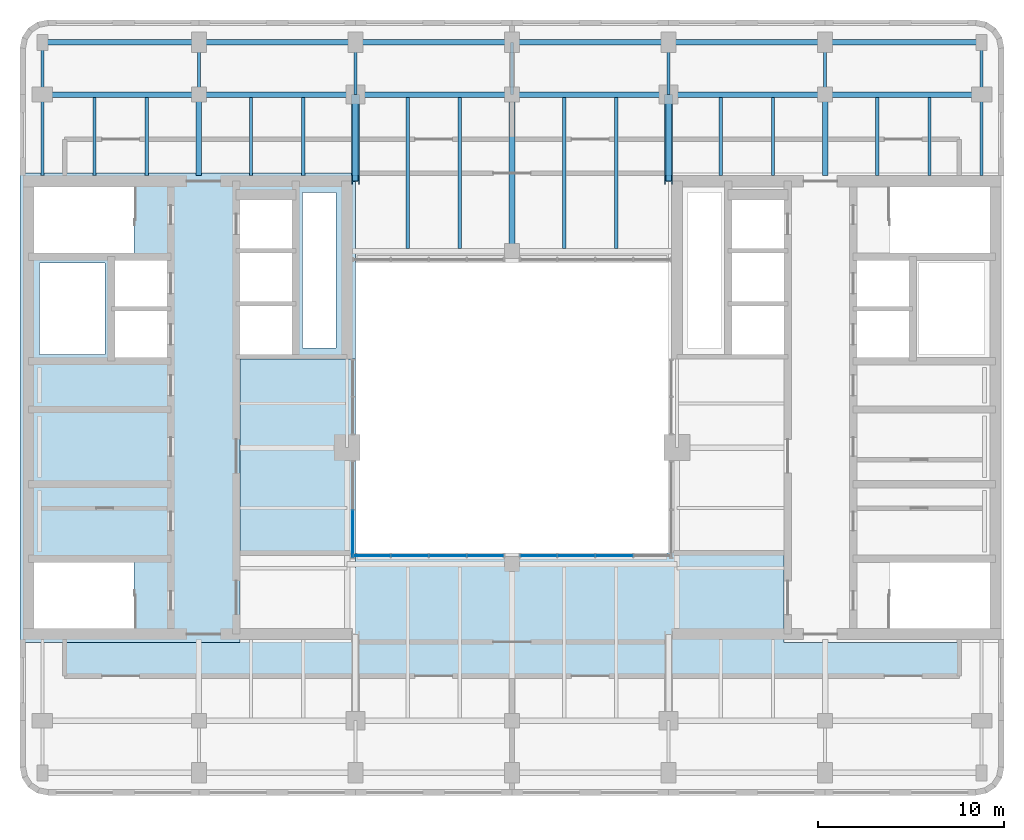
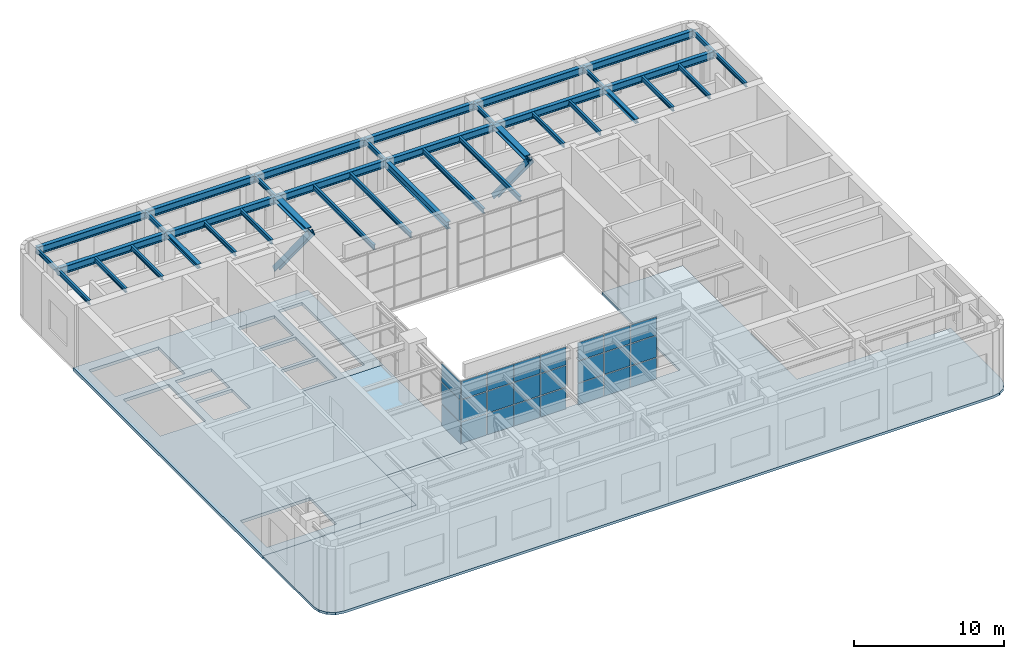
# One storey, part 5 of 11: 38 beams, 24 plates, 3 slabs, 2 members, 3 elements without a shape of their own.
"""IFC4 building model written with IfcOpenShell, lengths in metres."""

from ifc_helpers import new_model, si_unit, direction, frame, origin, origin_2d, place, context, subcontext, project, spatial, polyline, rectangle, i_section, outline, extrude, material, layer, layer_set, material_profile, profile_set, type_object, element, aggregate, save


model = new_model("IFC4")

# Units and contexts
model_context = context("Model", 3, precision=1e-05, world=origin(), true_north=direction((0.0, 1.0)))
body_context = subcontext(model_context, "Body", "Model", "MODEL_VIEW")
ifc_project = project(units=[si_unit("LENGTHUNIT", "METRE"), si_unit("AREAUNIT", "SQUARE_METRE"), si_unit("VOLUMEUNIT", "CUBIC_METRE"), si_unit("PLANEANGLEUNIT", "RADIAN"), si_unit("MASSUNIT", "GRAM", prefix="KILO")], contexts=[model_context])

# Site, building, storey
site_placement = place(None, origin())
site = spatial("IfcSite", under=ifc_project, at=site_placement, CompositionType="ELEMENT")
building_placement = place(site_placement, origin())
building = spatial("IfcBuilding", under=site, at=building_placement, Name="Claustro Exchange Tower", CompositionType="ELEMENT")
storey_placement = place(building_placement, frame((0.0, 0.0, 281.699951171875)))
storey = spatial("IfcBuildingStorey", under=building, at=storey_placement, Name="L64", CompositionType="ELEMENT", Elevation=281.699951171875)

# Beams
ifc_material_1 = material(Name="Steel S355", Category="steel")
ifc_material_profile_1 = material_profile(ifc_material_1, i_section(OverallWidth=0.300048828125, OverallDepth=0.590087890625, WebThickness=0.012939453125, FlangeThickness=0.02490234375, FilletRadius=0.027099609375, at=origin_2d()), Name="HE 600 A")
ifc_profile_set_1 = profile_set([ifc_material_profile_1], Name="Steel S355")
beam_type_1 = type_object("IfcBeamType", Name="B10 HE 600 A floor girder", PredefinedType="BEAM", material=ifc_profile_set_1)
for number, where, z_axis, x_axis, name in (
    (1, (25.199951171875, 33.60009765625, 4.85498046875), (0.0, 1.0, 0.0), (-1.0, 0.0, 0.0), "Beam B10 ROOF"),
    (2, (0.0, 42.0, 4.85498046875), (1.0, 0.0, 0.0), (0.0, 1.0, 0.0), "Beam B10 ROOF"),
):
    element("IfcBeam", number, at=place(storey_placement, frame(where, z_axis=z_axis, x_axis=x_axis)), inside=storey, type_object=beam_type_1, Name=name, PredefinedType="BEAM", context=body_context, shape_type="SweptSolid", body=[
        extrude(i_section(OverallWidth=0.300048828125, OverallDepth=0.590087890625, WebThickness=0.012939453125, FlangeThickness=0.02490234375, FilletRadius=0.027099609375, at=origin_2d()), origin(), (0.0, 0.0, 1.0), 8.39990234375),
    ])
beam_1_placement = place(storey_placement, frame((8.39990234375, 42.0, 4.85498046875), z_axis=(1.0, 0.0, 0.0), x_axis=(0.0, 1.0, 0.0)))
element("IfcBeam", 3, at=beam_1_placement, inside=storey, type_object=beam_type_1, Name="Beam B10 ROOF", PredefinedType="BEAM", context=body_context, shape_type="SweptSolid", body=[
    extrude(i_section(OverallWidth=0.300048828125, OverallDepth=0.590087890625, WebThickness=0.012939453125, FlangeThickness=0.02490234375, FilletRadius=0.027099609375, at=origin_2d()), origin(), (0.0, 0.0, 1.0), 8.400146484375),
])
beam_2_placement = place(storey_placement, frame((16.800048828125, 42.0, 4.85498046875), z_axis=(1.0, 0.0, 0.0), x_axis=(0.0, 1.0, 0.0)))
element("IfcBeam", 4, at=beam_2_placement, inside=storey, type_object=beam_type_1, Name="Beam B10 ROOF", PredefinedType="BEAM", context=body_context, shape_type="SweptSolid", body=[
    extrude(i_section(OverallWidth=0.300048828125, OverallDepth=0.590087890625, WebThickness=0.012939453125, FlangeThickness=0.02490234375, FilletRadius=0.027099609375, at=origin_2d()), origin(), (0.0, 0.0, 1.0), 8.39990234375),
])
beam_3_placement = place(storey_placement, frame((25.199951171875, 42.0, 4.85498046875), z_axis=(1.0, 0.0, 0.0), x_axis=(0.0, 1.0, 0.0)))
element("IfcBeam", 5, at=beam_3_placement, inside=storey, type_object=beam_type_1, Name="Beam B10 ROOF", PredefinedType="BEAM", context=body_context, shape_type="SweptSolid", body=[
    extrude(i_section(OverallWidth=0.300048828125, OverallDepth=0.590087890625, WebThickness=0.012939453125, FlangeThickness=0.02490234375, FilletRadius=0.027099609375, at=origin_2d()), origin(), (0.0, 0.0, 1.0), 8.400146484375),
])
for number, where, z_axis, x_axis, name in (
    (6, (33.60009765625, 42.0, 4.85498046875), (1.0, 0.0, 0.0), (0.0, 1.0, 0.0), "Beam B10 ROOF"),
    (7, (42.0, 42.0, 4.85498046875), (1.0, 0.0, 0.0), (0.0, 1.0, 0.0), "Beam B10 ROOF"),
    (8, (0.0, 44.800048828125, 4.85498046875), (1.0, 0.0, 0.0), (0.0, 1.0, 0.0), "Beam B10 ROOF"),
):
    element("IfcBeam", number, at=place(storey_placement, frame(where, z_axis=z_axis, x_axis=x_axis)), inside=storey, type_object=beam_type_1, Name=name, PredefinedType="BEAM", context=body_context, shape_type="SweptSolid", body=[
        extrude(i_section(OverallWidth=0.300048828125, OverallDepth=0.590087890625, WebThickness=0.012939453125, FlangeThickness=0.02490234375, FilletRadius=0.027099609375, at=origin_2d()), origin(), (0.0, 0.0, 1.0), 8.39990234375),
    ])
beam_4_placement = place(storey_placement, frame((8.39990234375, 44.800048828125, 4.85498046875), z_axis=(1.0, 0.0, 0.0), x_axis=(0.0, 1.0, 0.0)))
element("IfcBeam", 9, at=beam_4_placement, inside=storey, type_object=beam_type_1, Name="Beam B10 ROOF", PredefinedType="BEAM", context=body_context, shape_type="SweptSolid", body=[
    extrude(i_section(OverallWidth=0.300048828125, OverallDepth=0.590087890625, WebThickness=0.012939453125, FlangeThickness=0.02490234375, FilletRadius=0.027099609375, at=origin_2d()), origin(), (0.0, 0.0, 1.0), 8.400146484375),
])
beam_5_placement = place(storey_placement, frame((16.800048828125, 44.800048828125, 4.85498046875), z_axis=(1.0, 0.0, 0.0), x_axis=(0.0, 1.0, 0.0)))
element("IfcBeam", 10, at=beam_5_placement, inside=storey, type_object=beam_type_1, Name="Beam B10 ROOF", PredefinedType="BEAM", context=body_context, shape_type="SweptSolid", body=[
    extrude(i_section(OverallWidth=0.300048828125, OverallDepth=0.590087890625, WebThickness=0.012939453125, FlangeThickness=0.02490234375, FilletRadius=0.027099609375, at=origin_2d()), origin(), (0.0, 0.0, 1.0), 8.39990234375),
])
beam_6_placement = place(storey_placement, frame((25.199951171875, 44.800048828125, 4.85498046875), z_axis=(1.0, 0.0, 0.0), x_axis=(0.0, 1.0, 0.0)))
element("IfcBeam", 11, at=beam_6_placement, inside=storey, type_object=beam_type_1, Name="Beam B10 ROOF", PredefinedType="BEAM", context=body_context, shape_type="SweptSolid", body=[
    extrude(i_section(OverallWidth=0.300048828125, OverallDepth=0.590087890625, WebThickness=0.012939453125, FlangeThickness=0.02490234375, FilletRadius=0.027099609375, at=origin_2d()), origin(), (0.0, 0.0, 1.0), 8.400146484375),
])
for number, where, z_axis, x_axis, name in (
    (12, (33.60009765625, 44.800048828125, 4.85498046875), (1.0, 0.0, 0.0), (0.0, 1.0, 0.0), "Beam B10 ROOF"),
    (13, (42.0, 44.800048828125, 4.85498046875), (1.0, 0.0, 0.0), (0.0, 1.0, 0.0), "Beam B10 ROOF"),
):
    element("IfcBeam", number, at=place(storey_placement, frame(where, z_axis=z_axis, x_axis=x_axis)), inside=storey, type_object=beam_type_1, Name=name, PredefinedType="BEAM", context=body_context, shape_type="SweptSolid", body=[
        extrude(i_section(OverallWidth=0.300048828125, OverallDepth=0.590087890625, WebThickness=0.012939453125, FlangeThickness=0.02490234375, FilletRadius=0.027099609375, at=origin_2d()), origin(), (0.0, 0.0, 1.0), 8.39990234375),
    ])
ifc_material_2 = material(Name="Steel S355", Category="steel")
ifc_material_profile_2 = material_profile(ifc_material_2, i_section(OverallWidth=0.179931640625, OverallDepth=0.39990234375, WebThickness=0.008544921875, FlangeThickness=0.013427734375, FilletRadius=0.02099609375, at=origin_2d()), Name="IPE 400")
ifc_profile_set_2 = profile_set([ifc_material_profile_2], Name="Steel S355")
beam_type_2 = type_object("IfcBeamType", Name="B11 IPE 400 secondary beam", PredefinedType="BEAM", material=ifc_profile_set_2)
for number, where, z_axis, x_axis, name in (
    (14, (19.60009765625, 33.75, 4.949951171875), (0.0, 1.0, 0.0), (-1.0, 0.0, 0.0), "Beam B11 ROOF"),
    (15, (22.39990234375, 33.75, 4.949951171875), (0.0, 1.0, 0.0), (-1.0, 0.0, 0.0), "Beam B11 ROOF"),
    (16, (28.0, 33.75, 4.949951171875), (0.0, 1.0, 0.0), (-1.0, 0.0, 0.0), "Beam B11 ROOF"),
    (17, (30.800048828125, 33.75, 4.949951171875), (0.0, 1.0, 0.0), (-1.0, 0.0, 0.0), "Beam B11 ROOF"),
):
    element("IfcBeam", number, at=place(storey_placement, frame(where, z_axis=z_axis, x_axis=x_axis)), inside=storey, type_object=beam_type_2, Name=name, PredefinedType="BEAM", context=body_context, shape_type="SweptSolid", body=[
        extrude(i_section(OverallWidth=0.179931640625, OverallDepth=0.39990234375, WebThickness=0.008544921875, FlangeThickness=0.013427734375, FilletRadius=0.02099609375, at=origin_2d()), origin(), (0.0, 0.0, 1.0), 8.10009765625),
    ])
ifc_material_3 = material(Name="Steel S355", Category="steel")
ifc_material_profile_3 = material_profile(ifc_material_3, i_section(OverallWidth=0.169921875, OverallDepth=0.360107421875, WebThickness=0.008056640625, FlangeThickness=0.0126953125, FilletRadius=0.01806640625, at=origin_2d()), Name="IPE 360")
ifc_profile_set_3 = profile_set([ifc_material_profile_3], Name="Steel S355")
beam_type_3 = type_object("IfcBeamType", Name="B16 IPE 360 short-span beam", PredefinedType="BEAM", material=ifc_profile_set_3)
beam_7_placement = place(storey_placement, frame((0.0, 37.64990234375, 4.969970703125), z_axis=(0.0, 1.0, 0.0), x_axis=(-1.0, 0.0, 0.0)))
element("IfcBeam", 18, at=beam_7_placement, inside=storey, type_object=beam_type_3, Name="Beam B16 ROOF", PredefinedType="BEAM", context=body_context, shape_type="SweptSolid", body=[
    extrude(i_section(OverallWidth=0.169921875, OverallDepth=0.360107421875, WebThickness=0.008056640625, FlangeThickness=0.0126953125, FilletRadius=0.01806640625, at=origin_2d()), origin(), (0.0, 0.0, 1.0), 4.35009765625),
])
for number, where, z_axis, x_axis, name in (
    (19, (0.0, 42.0, 4.969970703125), (0.0, 1.0, 0.0), (-1.0, 0.0, 0.0), "Beam B16 ROOF"),
    (20, (8.39990234375, 42.0, 4.969970703125), (0.0, 1.0, 0.0), (-1.0, 0.0, 0.0), "Beam B16 ROOF"),
    (21, (16.800048828125, 42.0, 4.969970703125), (0.0, 1.0, 0.0), (-1.0, 0.0, 0.0), "Beam B16 ROOF"),
    (22, (25.199951171875, 42.0, 4.969970703125), (0.0, 1.0, 0.0), (-1.0, 0.0, 0.0), "Beam B16 ROOF"),
    (23, (33.60009765625, 42.0, 4.969970703125), (0.0, 1.0, 0.0), (-1.0, 0.0, 0.0), "Beam B16 ROOF"),
    (24, (42.0, 42.0, 4.969970703125), (0.0, 1.0, 0.0), (-1.0, 0.0, 0.0), "Beam B16 ROOF"),
):
    element("IfcBeam", number, at=place(storey_placement, frame(where, z_axis=z_axis, x_axis=x_axis)), inside=storey, type_object=beam_type_3, Name=name, PredefinedType="BEAM", context=body_context, shape_type="SweptSolid", body=[
        extrude(i_section(OverallWidth=0.169921875, OverallDepth=0.360107421875, WebThickness=0.008056640625, FlangeThickness=0.0126953125, FilletRadius=0.01806640625, at=origin_2d()), origin(), (0.0, 0.0, 1.0), 2.800048828125),
    ])
beam_8_placement = place(storey_placement, frame((50.39990234375, 37.64990234375, 4.969970703125), z_axis=(0.0, 1.0, 0.0), x_axis=(-1.0, 0.0, 0.0)))
element("IfcBeam", 25, at=beam_8_placement, inside=storey, type_object=beam_type_3, Name="Beam B16 ROOF", PredefinedType="BEAM", context=body_context, shape_type="SweptSolid", body=[
    extrude(i_section(OverallWidth=0.169921875, OverallDepth=0.360107421875, WebThickness=0.008056640625, FlangeThickness=0.0126953125, FilletRadius=0.01806640625, at=origin_2d()), origin(), (0.0, 0.0, 1.0), 4.35009765625),
])
beam_9_placement = place(storey_placement, frame((50.39990234375, 42.0, 4.969970703125), z_axis=(0.0, 1.0, 0.0), x_axis=(-1.0, 0.0, 0.0)))
element("IfcBeam", 26, at=beam_9_placement, inside=storey, type_object=beam_type_3, Name="Beam B16 ROOF", PredefinedType="BEAM", context=body_context, shape_type="SweptSolid", body=[
    extrude(i_section(OverallWidth=0.169921875, OverallDepth=0.360107421875, WebThickness=0.008056640625, FlangeThickness=0.0126953125, FilletRadius=0.01806640625, at=origin_2d()), origin(), (0.0, 0.0, 1.0), 2.800048828125),
])
for number, where, z_axis, x_axis, name in (
    (27, (2.800048828125, 37.64990234375, 4.969970703125), (0.0, 1.0, 0.0), (-1.0, 0.0, 0.0), "Beam B16 ROOF"),
    (28, (5.60009765625, 37.64990234375, 4.969970703125), (0.0, 1.0, 0.0), (-1.0, 0.0, 0.0), "Beam B16 ROOF"),
    (29, (11.199951171875, 37.64990234375, 4.969970703125), (0.0, 1.0, 0.0), (-1.0, 0.0, 0.0), "Beam B16 ROOF"),
    (30, (14.0, 37.64990234375, 4.969970703125), (0.0, 1.0, 0.0), (-1.0, 0.0, 0.0), "Beam B16 ROOF"),
    (31, (36.39990234375, 37.64990234375, 4.969970703125), (0.0, 1.0, 0.0), (-1.0, 0.0, 0.0), "Beam B16 ROOF"),
    (32, (39.199951171875, 37.64990234375, 4.969970703125), (0.0, 1.0, 0.0), (-1.0, 0.0, 0.0), "Beam B16 ROOF"),
    (33, (44.800048828125, 37.64990234375, 4.969970703125), (0.0, 1.0, 0.0), (-1.0, 0.0, 0.0), "Beam B16 ROOF"),
    (34, (47.60009765625, 37.64990234375, 4.969970703125), (0.0, 1.0, 0.0), (-1.0, 0.0, 0.0), "Beam B16 ROOF"),
):
    element("IfcBeam", number, at=place(storey_placement, frame(where, z_axis=z_axis, x_axis=x_axis)), inside=storey, type_object=beam_type_3, Name=name, PredefinedType="BEAM", context=body_context, shape_type="SweptSolid", body=[
        extrude(i_section(OverallWidth=0.169921875, OverallDepth=0.360107421875, WebThickness=0.008056640625, FlangeThickness=0.0126953125, FilletRadius=0.01806640625, at=origin_2d()), origin(), (0.0, 0.0, 1.0), 4.2001953125),
    ])
ifc_material_4 = material(Name="Steel S355", Category="steel")
ifc_material_profile_4 = material_profile(ifc_material_4, i_section(OverallWidth=0.300048828125, OverallDepth=0.360107421875, WebThickness=0.012451171875, FlangeThickness=0.0224609375, FilletRadius=0.027099609375, at=origin_2d()), Name="HE 360 B")
ifc_profile_set_4 = profile_set([ifc_material_profile_4], Name="Steel S355")
beam_type_4 = type_object("IfcBeamType", Name="B29 HE 360 B column to core link beam", PredefinedType="BEAM", material=ifc_profile_set_4)
for number, where, z_axis, x_axis, name in (
    (35, (8.39990234375, 37.64990234375, 4.969970703125), (0.0, 1.0, 0.0), (-1.0, 0.0, 0.0), "Beam B29 ROOF"),
    (36, (42.0, 37.64990234375, 4.969970703125), (0.0, 1.0, 0.0), (-1.0, 0.0, 0.0), "Beam B29 ROOF"),
):
    element("IfcBeam", number, at=place(storey_placement, frame(where, z_axis=z_axis, x_axis=x_axis)), inside=storey, type_object=beam_type_4, Name=name, PredefinedType="BEAM", context=body_context, shape_type="SweptSolid", body=[
        extrude(i_section(OverallWidth=0.300048828125, OverallDepth=0.360107421875, WebThickness=0.012451171875, FlangeThickness=0.0224609375, FilletRadius=0.027099609375, at=origin_2d()), origin(), (0.0, 0.0, 1.0), 4.35009765625),
    ])
ifc_material_5 = material(Name="Steel S460", Category="steel")
ifc_material_profile_5 = material_profile(ifc_material_5, i_section(OverallWidth=0.422119140625, OverallDepth=0.425048828125, WebThickness=0.035888671875, FlangeThickness=0.05810546875, FilletRadius=0.014892578125, at=origin_2d()), Name="HD 400x463")
ifc_profile_set_5 = profile_set([ifc_material_profile_5], Name="Steel S460")
beam_type_5 = type_object("IfcBeamType", Name="CT1 HD 400x463 cap truss chord", PredefinedType="BEAM", material=ifc_profile_set_5)
for number, where, z_axis, x_axis, name in (
    (37, (16.800048828125, 37.64990234375, 4.9375), (0.0, 1.0, 0.0), (-1.0, 0.0, 0.0), "Beam CT1 ROOF"),
    (38, (33.60009765625, 37.64990234375, 4.9375), (0.0, 1.0, 0.0), (-1.0, 0.0, 0.0), "Beam CT1 ROOF"),
):
    element("IfcBeam", number, at=place(storey_placement, frame(where, z_axis=z_axis, x_axis=x_axis)), inside=storey, type_object=beam_type_5, Name=name, PredefinedType="BEAM", context=body_context, shape_type="SweptSolid", body=[
        extrude(i_section(OverallWidth=0.422119140625, OverallDepth=0.425048828125, WebThickness=0.035888671875, FlangeThickness=0.05810546875, FilletRadius=0.014892578125, at=origin_2d()), origin(), (0.0, 0.0, 1.0), 4.35009765625),
    ])

# Members
ifc_material_6 = material(Name="Steel S460", Category="steel")
ifc_material_profile_6 = material_profile(ifc_material_6, i_section(OverallWidth=0.422119140625, OverallDepth=0.425048828125, WebThickness=0.035888671875, FlangeThickness=0.05810546875, FilletRadius=0.014892578125, at=origin_2d()), Name="HD 400x463")
ifc_profile_set_6 = profile_set([ifc_material_profile_6], Name="Steel S460")
member_type = type_object("IfcMemberType", Name="CT2 HD 400x463 cap truss diagonal", PredefinedType="BRACE", material=ifc_profile_set_6)
for number, where, z_axis, x_axis, name in (
    (39, (16.800048828125, 42.0, -0.759033203125), (0.0, -0.632349653089, 0.774683106979), (0.0, 0.774683106979, 0.632349653089), "Cap truss diagonal CT2 L64"),
    (40, (33.60009765625, 42.0, -0.759033203125), (0.0, -0.632349653089, 0.774683106979), (0.0, 0.774683106979, 0.632349653089), "Cap truss diagonal CT2 L64"),
):
    element("IfcMember", number, at=place(storey_placement, frame(where, z_axis=z_axis, x_axis=x_axis)), inside=storey, type_object=member_type, Name=name, PredefinedType="BRACE", context=body_context, shape_type="SweptSolid", body=[
        extrude(i_section(OverallWidth=0.422119140625, OverallDepth=0.425048828125, WebThickness=0.035888671875, FlangeThickness=0.05810546875, FilletRadius=0.014892578125, at=origin_2d()), origin(), (0.0, 0.0, 1.0), 7.353271484375),
    ])

# Curtain wall, plates
ifc_material_7 = material(Name="Aluminium frame, clear double glazing", Category="aluminium")
curtain_wall_type = type_object("IfcCurtainWallType", Name="CW4 plant louvre screen", PredefinedType="USERDEFINED", material=ifc_material_7)
curtain_wall_1_placement = place(storey_placement, origin())
curtain_wall_1 = element("IfcCurtainWall", 41, at=curtain_wall_1_placement, inside=storey, type_object=curtain_wall_type, Name="Curtain wall CW4 L64", ObjectType="STICK CURTAIN WALL", PredefinedType="USERDEFINED")
ifc_material_8 = material(Name="Aluminium louvre blades", Category="aluminium")
ifc_layer_1 = layer(ifc_material_8, 0.050048828125)
ifc_layer_set_1 = layer_set([ifc_layer_1], Name="Aluminium louvre blades")
plate_type = type_object("IfcPlateType", Name="CW4-P 50 louvre panel", PredefinedType="CURTAIN_PANEL", material=ifc_layer_set_1)
plate_1_placement = place(storey_placement, frame((16.64990234375, 18.427490234375, 0.06005859375), z_axis=(0.0, 0.0, 1.0), x_axis=(0.0, 1.0, 0.0)))
plate_1 = element("IfcPlate", 42, at=plate_1_placement, type_object=plate_type, Name="CW4 panel 1.1", PredefinedType="CURTAIN_PANEL", context=body_context, shape_type="SweptSolid", body=[
    extrude(rectangle(XDim=2.534912109375, YDim=0.050048828125, at=origin_2d()), origin(), (0.0, 0.0, 1.0), 1.7099609375),
])
plate_2_placement = place(storey_placement, frame((16.64990234375, 18.427490234375, 1.830078125), z_axis=(0.0, 0.0, 1.0), x_axis=(0.0, 1.0, 0.0)))
plate_2 = element("IfcPlate", 43, at=plate_2_placement, type_object=plate_type, Name="CW4 panel 1.2", PredefinedType="CURTAIN_PANEL", context=body_context, shape_type="SweptSolid", body=[
    extrude(rectangle(XDim=2.534912109375, YDim=0.050048828125, at=origin_2d()), origin(), (0.0, 0.0, 1.0), 1.739990234375),
])
plate_3_placement = place(storey_placement, frame((16.64990234375, 18.427490234375, 3.630126953125), z_axis=(0.0, 0.0, 1.0), x_axis=(0.0, 1.0, 0.0)))
plate_3 = element("IfcPlate", 44, at=plate_3_placement, type_object=plate_type, Name="CW4 panel 1.3", PredefinedType="CURTAIN_PANEL", context=body_context, shape_type="SweptSolid", body=[
    extrude(rectangle(XDim=2.534912109375, YDim=0.050048828125, at=origin_2d()), origin(), (0.0, 0.0, 1.0), 1.4599609375),
])
aggregate(curtain_wall_1, [plate_1, plate_2, plate_3])

curtain_wall_2_placement = place(storey_placement, origin())
curtain_wall_2 = element("IfcCurtainWall", 45, at=curtain_wall_2_placement, inside=storey, type_object=curtain_wall_type, Name="Curtain wall CW4 L64", ObjectType="STICK CURTAIN WALL", PredefinedType="USERDEFINED")
plate_4_placement = place(storey_placement, frame((17.683837890625, 17.25, 0.06005859375), z_axis=(0.0, 0.0, 1.0), x_axis=(1.0, 0.0, 0.0)))
plate_4 = element("IfcPlate", 46, at=plate_4_placement, type_object=plate_type, Name="CW4 panel 1.1", PredefinedType="CURTAIN_PANEL", context=body_context, shape_type="SweptSolid", body=[
    extrude(rectangle(XDim=1.947509765625, YDim=0.050048828125, at=origin_2d()), origin(), (0.0, 0.0, 1.0), 1.7099609375),
])
plate_5_placement = place(storey_placement, frame((17.683837890625, 17.25, 1.830078125), z_axis=(0.0, 0.0, 1.0), x_axis=(1.0, 0.0, 0.0)))
plate_5 = element("IfcPlate", 47, at=plate_5_placement, type_object=plate_type, Name="CW4 panel 1.2", PredefinedType="CURTAIN_PANEL", context=body_context, shape_type="SweptSolid", body=[
    extrude(rectangle(XDim=1.947509765625, YDim=0.050048828125, at=origin_2d()), origin(), (0.0, 0.0, 1.0), 1.739990234375),
])
plate_6_placement = place(storey_placement, frame((17.683837890625, 17.25, 3.630126953125), z_axis=(0.0, 0.0, 1.0), x_axis=(1.0, 0.0, 0.0)))
plate_6 = element("IfcPlate", 48, at=plate_6_placement, type_object=plate_type, Name="CW4 panel 1.3", PredefinedType="CURTAIN_PANEL", context=body_context, shape_type="SweptSolid", body=[
    extrude(rectangle(XDim=1.947509765625, YDim=0.050048828125, at=origin_2d()), origin(), (0.0, 0.0, 1.0), 1.4599609375),
])
plate_7_placement = place(storey_placement, frame((19.706298828125, 17.25, 0.06005859375), z_axis=(0.0, 0.0, 1.0), x_axis=(1.0, 0.0, 0.0)))
plate_7 = element("IfcPlate", 49, at=plate_7_placement, type_object=plate_type, Name="CW4 panel 2.1", PredefinedType="CURTAIN_PANEL", context=body_context, shape_type="SweptSolid", body=[
    extrude(rectangle(XDim=1.9775390625, YDim=0.050048828125, at=origin_2d()), origin(), (0.0, 0.0, 1.0), 1.7099609375),
])
plate_8_placement = place(storey_placement, frame((19.706298828125, 17.25, 1.830078125), z_axis=(0.0, 0.0, 1.0), x_axis=(1.0, 0.0, 0.0)))
plate_8 = element("IfcPlate", 50, at=plate_8_placement, type_object=plate_type, Name="CW4 panel 2.2", PredefinedType="CURTAIN_PANEL", context=body_context, shape_type="SweptSolid", body=[
    extrude(rectangle(XDim=1.9775390625, YDim=0.050048828125, at=origin_2d()), origin(), (0.0, 0.0, 1.0), 1.739990234375),
])
plate_9_placement = place(storey_placement, frame((19.706298828125, 17.25, 3.630126953125), z_axis=(0.0, 0.0, 1.0), x_axis=(1.0, 0.0, 0.0)))
plate_9 = element("IfcPlate", 51, at=plate_9_placement, type_object=plate_type, Name="CW4 panel 2.3", PredefinedType="CURTAIN_PANEL", context=body_context, shape_type="SweptSolid", body=[
    extrude(rectangle(XDim=1.9775390625, YDim=0.050048828125, at=origin_2d()), origin(), (0.0, 0.0, 1.0), 1.4599609375),
])
plate_10_placement = place(storey_placement, frame((21.74365234375, 17.25, 0.06005859375), z_axis=(0.0, 0.0, 1.0), x_axis=(1.0, 0.0, 0.0)))
plate_10 = element("IfcPlate", 52, at=plate_10_placement, type_object=plate_type, Name="CW4 panel 3.1", PredefinedType="CURTAIN_PANEL", context=body_context, shape_type="SweptSolid", body=[
    extrude(rectangle(XDim=1.9775390625, YDim=0.050048828125, at=origin_2d()), origin(), (0.0, 0.0, 1.0), 1.7099609375),
])
plate_11_placement = place(storey_placement, frame((21.74365234375, 17.25, 1.830078125), z_axis=(0.0, 0.0, 1.0), x_axis=(1.0, 0.0, 0.0)))
plate_11 = element("IfcPlate", 53, at=plate_11_placement, type_object=plate_type, Name="CW4 panel 3.2", PredefinedType="CURTAIN_PANEL", context=body_context, shape_type="SweptSolid", body=[
    extrude(rectangle(XDim=1.9775390625, YDim=0.050048828125, at=origin_2d()), origin(), (0.0, 0.0, 1.0), 1.739990234375),
])
plate_12_placement = place(storey_placement, frame((21.74365234375, 17.25, 3.630126953125), z_axis=(0.0, 0.0, 1.0), x_axis=(1.0, 0.0, 0.0)))
plate_12 = element("IfcPlate", 54, at=plate_12_placement, type_object=plate_type, Name="CW4 panel 3.3", PredefinedType="CURTAIN_PANEL", context=body_context, shape_type="SweptSolid", body=[
    extrude(rectangle(XDim=1.9775390625, YDim=0.050048828125, at=origin_2d()), origin(), (0.0, 0.0, 1.0), 1.4599609375),
])
plate_13_placement = place(storey_placement, frame((23.766357421875, 17.25, 0.06005859375), z_axis=(0.0, 0.0, 1.0), x_axis=(1.0, 0.0, 0.0)))
plate_13 = element("IfcPlate", 55, at=plate_13_placement, type_object=plate_type, Name="CW4 panel 4.1", PredefinedType="CURTAIN_PANEL", context=body_context, shape_type="SweptSolid", body=[
    extrude(rectangle(XDim=1.947509765625, YDim=0.050048828125, at=origin_2d()), origin(), (0.0, 0.0, 1.0), 1.7099609375),
])
plate_14_placement = place(storey_placement, frame((23.766357421875, 17.25, 1.830078125), z_axis=(0.0, 0.0, 1.0), x_axis=(1.0, 0.0, 0.0)))
plate_14 = element("IfcPlate", 56, at=plate_14_placement, type_object=plate_type, Name="CW4 panel 4.2", PredefinedType="CURTAIN_PANEL", context=body_context, shape_type="SweptSolid", body=[
    extrude(rectangle(XDim=1.947509765625, YDim=0.050048828125, at=origin_2d()), origin(), (0.0, 0.0, 1.0), 1.739990234375),
])
plate_15_placement = place(storey_placement, frame((23.766357421875, 17.25, 3.630126953125), z_axis=(0.0, 0.0, 1.0), x_axis=(1.0, 0.0, 0.0)))
plate_15 = element("IfcPlate", 57, at=plate_15_placement, type_object=plate_type, Name="CW4 panel 4.3", PredefinedType="CURTAIN_PANEL", context=body_context, shape_type="SweptSolid", body=[
    extrude(rectangle(XDim=1.947509765625, YDim=0.050048828125, at=origin_2d()), origin(), (0.0, 0.0, 1.0), 1.4599609375),
])
aggregate(curtain_wall_2, [plate_4, plate_5, plate_6, plate_7, plate_8, plate_9, plate_10, plate_11, plate_12, plate_13, plate_14, plate_15])

curtain_wall_3_placement = place(storey_placement, origin())
curtain_wall_3 = element("IfcCurtainWall", 58, at=curtain_wall_3_placement, inside=storey, type_object=curtain_wall_type, Name="Curtain wall CW4 L64", ObjectType="STICK CURTAIN WALL", PredefinedType="USERDEFINED")
plate_16_placement = place(storey_placement, frame((26.6337890625, 17.25, 0.06005859375), z_axis=(0.0, 0.0, 1.0), x_axis=(1.0, 0.0, 0.0)))
plate_16 = element("IfcPlate", 59, at=plate_16_placement, type_object=plate_type, Name="CW4 panel 1.1", PredefinedType="CURTAIN_PANEL", context=body_context, shape_type="SweptSolid", body=[
    extrude(rectangle(XDim=1.947509765625, YDim=0.050048828125, at=origin_2d()), origin(), (0.0, 0.0, 1.0), 1.7099609375),
])
plate_17_placement = place(storey_placement, frame((26.6337890625, 17.25, 1.830078125), z_axis=(0.0, 0.0, 1.0), x_axis=(1.0, 0.0, 0.0)))
plate_17 = element("IfcPlate", 60, at=plate_17_placement, type_object=plate_type, Name="CW4 panel 1.2", PredefinedType="CURTAIN_PANEL", context=body_context, shape_type="SweptSolid", body=[
    extrude(rectangle(XDim=1.947509765625, YDim=0.050048828125, at=origin_2d()), origin(), (0.0, 0.0, 1.0), 1.739990234375),
])
plate_18_placement = place(storey_placement, frame((26.6337890625, 17.25, 3.630126953125), z_axis=(0.0, 0.0, 1.0), x_axis=(1.0, 0.0, 0.0)))
plate_18 = element("IfcPlate", 61, at=plate_18_placement, type_object=plate_type, Name="CW4 panel 1.3", PredefinedType="CURTAIN_PANEL", context=body_context, shape_type="SweptSolid", body=[
    extrude(rectangle(XDim=1.947509765625, YDim=0.050048828125, at=origin_2d()), origin(), (0.0, 0.0, 1.0), 1.4599609375),
])
plate_19_placement = place(storey_placement, frame((28.65625, 17.25, 0.06005859375), z_axis=(0.0, 0.0, 1.0), x_axis=(1.0, 0.0, 0.0)))
plate_19 = element("IfcPlate", 62, at=plate_19_placement, type_object=plate_type, Name="CW4 panel 2.1", PredefinedType="CURTAIN_PANEL", context=body_context, shape_type="SweptSolid", body=[
    extrude(rectangle(XDim=1.9775390625, YDim=0.050048828125, at=origin_2d()), origin(), (0.0, 0.0, 1.0), 1.7099609375),
])
plate_20_placement = place(storey_placement, frame((28.65625, 17.25, 1.830078125), z_axis=(0.0, 0.0, 1.0), x_axis=(1.0, 0.0, 0.0)))
plate_20 = element("IfcPlate", 63, at=plate_20_placement, type_object=plate_type, Name="CW4 panel 2.2", PredefinedType="CURTAIN_PANEL", context=body_context, shape_type="SweptSolid", body=[
    extrude(rectangle(XDim=1.9775390625, YDim=0.050048828125, at=origin_2d()), origin(), (0.0, 0.0, 1.0), 1.739990234375),
])
plate_21_placement = place(storey_placement, frame((28.65625, 17.25, 3.630126953125), z_axis=(0.0, 0.0, 1.0), x_axis=(1.0, 0.0, 0.0)))
plate_21 = element("IfcPlate", 64, at=plate_21_placement, type_object=plate_type, Name="CW4 panel 2.3", PredefinedType="CURTAIN_PANEL", context=body_context, shape_type="SweptSolid", body=[
    extrude(rectangle(XDim=1.9775390625, YDim=0.050048828125, at=origin_2d()), origin(), (0.0, 0.0, 1.0), 1.4599609375),
])
plate_22_placement = place(storey_placement, frame((30.69384765625, 17.25, 0.06005859375), z_axis=(0.0, 0.0, 1.0), x_axis=(1.0, 0.0, 0.0)))
plate_22 = element("IfcPlate", 65, at=plate_22_placement, type_object=plate_type, Name="CW4 panel 3.1", PredefinedType="CURTAIN_PANEL", context=body_context, shape_type="SweptSolid", body=[
    extrude(rectangle(XDim=1.9775390625, YDim=0.050048828125, at=origin_2d()), origin(), (0.0, 0.0, 1.0), 1.7099609375),
])
plate_23_placement = place(storey_placement, frame((30.69384765625, 17.25, 1.830078125), z_axis=(0.0, 0.0, 1.0), x_axis=(1.0, 0.0, 0.0)))
plate_23 = element("IfcPlate", 66, at=plate_23_placement, type_object=plate_type, Name="CW4 panel 3.2", PredefinedType="CURTAIN_PANEL", context=body_context, shape_type="SweptSolid", body=[
    extrude(rectangle(XDim=1.9775390625, YDim=0.050048828125, at=origin_2d()), origin(), (0.0, 0.0, 1.0), 1.739990234375),
])
plate_24_placement = place(storey_placement, frame((30.69384765625, 17.25, 3.630126953125), z_axis=(0.0, 0.0, 1.0), x_axis=(1.0, 0.0, 0.0)))
plate_24 = element("IfcPlate", 67, at=plate_24_placement, type_object=plate_type, Name="CW4 panel 3.3", PredefinedType="CURTAIN_PANEL", context=body_context, shape_type="SweptSolid", body=[
    extrude(rectangle(XDim=1.9775390625, YDim=0.050048828125, at=origin_2d()), origin(), (0.0, 0.0, 1.0), 1.4599609375),
])
aggregate(curtain_wall_3, [plate_16, plate_17, plate_18, plate_19, plate_20, plate_21, plate_22, plate_23, plate_24])

# Slabs
ifc_material_9 = material(Name="Concrete HA-50 (C50/60)", Category="concrete")
ifc_layer_2 = layer(ifc_material_9, 0.199951171875)
ifc_layer_set_2 = layer_set([ifc_layer_2], Name="Concrete HA-50 (C50/60)")
slab_type_1 = type_object("IfcSlabType", Name="S3 200 plant floor slab", PredefinedType="FLOOR", material=ifc_layer_set_2)
slab_1_placement = place(storey_placement, frame((0.0, 0.0, -0.199951171875)))
element("IfcSlab", 68, at=slab_1_placement, inside=storey, type_object=slab_type_1, Name="Floor slab S3 S L64", PredefinedType="FLOOR", context=body_context, shape_type="SweptSolid", body=[
    extrude(outline(polyline([(-0.7607421875, 4.83935546875), (-0.27392578125, 4.51416015625), (0.300048828125, 4.39990234375), (50.10009765625, 4.39990234375), (50.674072265625, 4.51416015625), (51.16064453125, 4.83935546875), (51.48583984375, 5.325927734375), (51.60009765625, 5.89990234375), (51.60009765625, 12.60009765625), (39.800048828125, 12.60009765625), (39.800048828125, 27.800048828125), (33.60009765625, 27.800048828125), (33.60009765625, 17.39990234375), (16.800048828125, 17.39990234375), (16.800048828125, 16.583251953125), (10.60009765625, 16.583251953125), (10.60009765625, 12.60009765625), (-1.199951171875, 12.60009765625), (-1.199951171875, 5.89990234375), (-1.085693359375, 5.325927734375), (-0.7607421875, 4.83935546875)])), origin(), (0.0, 0.0, 1.0), 0.199951171875),
])
ifc_material_10 = material(Name="Concrete HA-50 (C50/60)", Category="concrete")
ifc_layer_3 = layer(ifc_material_10, 0.199951171875)
ifc_layer_set_3 = layer_set([ifc_layer_3], Name="Concrete HA-50 (C50/60)")
slab_type_2 = type_object("IfcSlabType", Name="S3T 200 tank room floor slab", PredefinedType="FLOOR", material=ifc_layer_set_3)
slab_2_placement = place(storey_placement, frame((0.0, 0.0, -0.199951171875)))
element("IfcSlab", 69, at=slab_2_placement, inside=storey, type_object=slab_type_2, Name="Floor slab S3T tank room L64", PredefinedType="FLOOR", context=body_context, shape_type="SweptSolid", body=[
    extrude(outline(polyline([(16.800048828125, 16.583251953125), (16.800048828125, 27.800048828125), (10.60009765625, 27.800048828125), (10.60009765625, 16.583251953125), (16.800048828125, 16.583251953125)])), origin(), (0.0, 0.0, 1.0), 0.199951171875),
])
ifc_material_11 = material(Name="Concrete HA-50 (C50/60)", Category="concrete")
ifc_layer_4 = layer(ifc_material_11, 0.25)
ifc_layer_set_4 = layer_set([ifc_layer_4], Name="Concrete HA-50 (C50/60)")
slab_type_3 = type_object("IfcSlabType", Name="S7 250 core floor slab", PredefinedType="FLOOR", material=ifc_layer_set_4)
slab_3_placement = place(storey_placement, frame((0.0, 0.0, -0.25)))
element("IfcSlab", 70, at=slab_3_placement, inside=storey, type_object=slab_type_3, Name="Core floor slab S7 W core L64", PredefinedType="FLOOR", context=body_context, shape_type="SweptSolid", body=[
    extrude(outline(polyline([(-1.199951171875, 37.800048828125), (-1.199951171875, 12.60009765625), (10.60009765625, 12.60009765625), (10.60009765625, 27.800048828125), (16.800048828125, 27.800048828125), (16.800048828125, 37.800048828125), (-1.199951171875, 37.800048828125)]), holes=[polyline([(13.949951171875, 36.75), (15.75, 36.75), (15.75, 28.39990234375), (13.949951171875, 28.39990234375), (13.949951171875, 36.75)]), polyline([(10.60009765625, 30.64990234375), (13.39990234375, 30.64990234375), (13.39990234375, 28.050048828125), (10.60009765625, 28.050048828125), (10.60009765625, 30.64990234375)]), polyline([(10.60009765625, 33.5), (13.39990234375, 33.5), (13.39990234375, 30.89990234375), (10.60009765625, 30.89990234375), (10.60009765625, 33.5)]), polyline([(13.39990234375, 36.35009765625), (13.39990234375, 33.75), (10.60009765625, 33.75), (10.60009765625, 36.35009765625), (13.39990234375, 36.35009765625)]), polyline([(3.89990234375, 30.375), (6.699951171875, 30.375), (6.699951171875, 27.89990234375), (3.89990234375, 27.89990234375), (3.89990234375, 30.375)]), polyline([(3.89990234375, 33.10009765625), (6.699951171875, 33.10009765625), (6.699951171875, 30.625), (3.89990234375, 30.625), (3.89990234375, 33.10009765625)]), polyline([(-0.449951171875, 13.35009765625), (-0.449951171875, 15.125), (-0.449951171875, 16.89990234375), (4.9150390625, 16.89990234375), (4.9150390625, 15.125), (4.919921875, 15.125), (4.919921875, 13.35009765625), (-0.449951171875, 13.35009765625)]), polyline([(-0.449951171875, 37.050048828125), (4.919921875, 37.050048828125), (4.919921875, 35.27490234375), (4.9150390625, 35.27490234375), (4.9150390625, 33.5), (-0.449951171875, 33.5), (-0.449951171875, 35.27490234375), (-0.449951171875, 37.050048828125)]), polyline([(-0.14990234375, 32.949951171875), (3.35009765625, 32.949951171875), (3.35009765625, 28.050048828125), (-0.14990234375, 28.050048828125), (-0.14990234375, 32.949951171875)])]), origin(), (0.0, 0.0, 1.0), 0.25),
])

save(model, "model.ifc")
